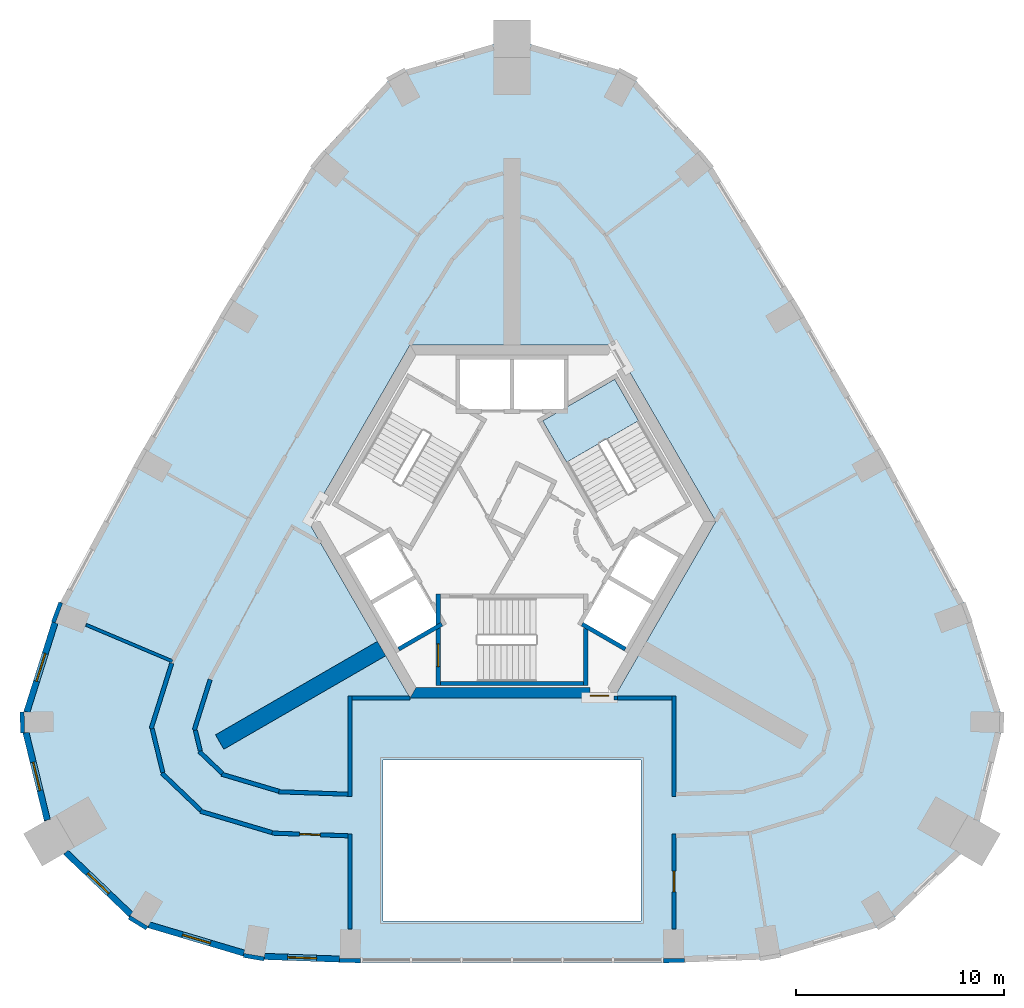
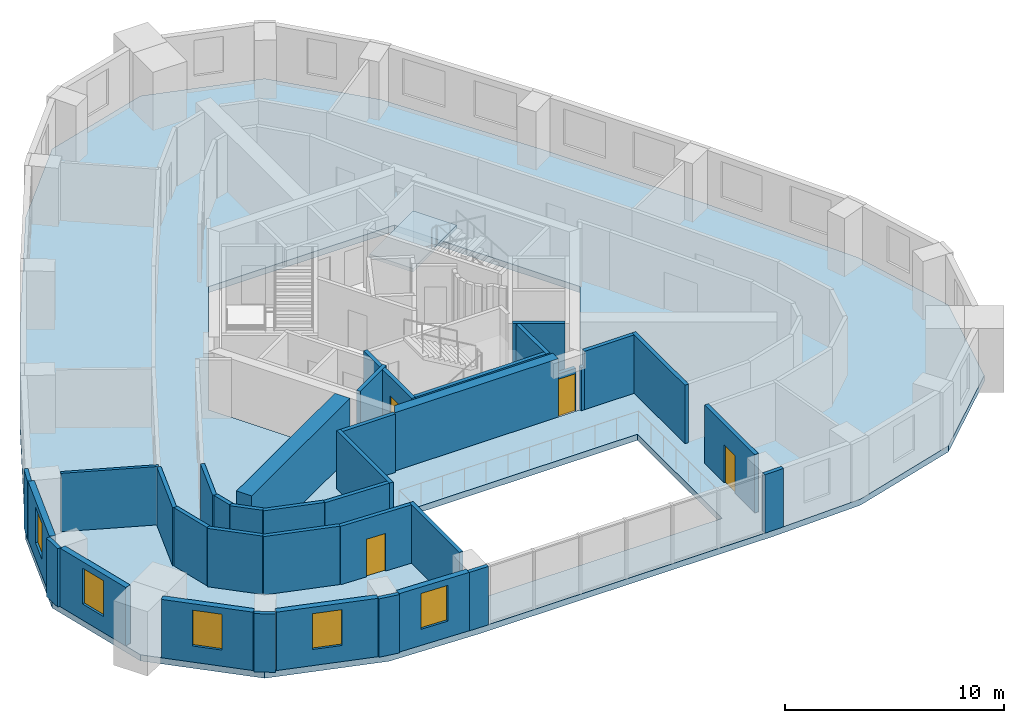
# One storey, part 3 of 8: 37 walls, 5 windows, 4 doors, 2 slabs, 9 openings, 1 element without a shape of its own.
"""IFC4 building model written with IfcOpenShell, lengths in metres."""

from ifc_helpers import new_model, si_unit, direction, frame, frame_2d, origin, place, context, subcontext, project, spatial, polyline, rectangle, outline, extrude, material, layer, layer_set, type_object, element, fill, aggregate, save


model = new_model("IFC4")

# Units and contexts
model_context = context("Model", 3, precision=1e-05, world=origin(), true_north=direction((0.0, 1.0)))
body_context = subcontext(model_context, "Body", "Model", "MODEL_VIEW")
ifc_project = project(units=[si_unit("LENGTHUNIT", "METRE"), si_unit("AREAUNIT", "SQUARE_METRE"), si_unit("VOLUMEUNIT", "CUBIC_METRE"), si_unit("PLANEANGLEUNIT", "RADIAN"), si_unit("MASSUNIT", "GRAM", prefix="KILO")], contexts=[model_context])

# Site, building, storey
site_placement = place(None, origin())
site = spatial("IfcSite", under=ifc_project, at=site_placement, CompositionType="ELEMENT")
building_placement = place(site_placement, origin())
building = spatial("IfcBuilding", under=site, at=building_placement, Name="Entoto Arch Interchange Tower", CompositionType="ELEMENT")
storey_placement = place(building_placement, frame((0.0, 0.0, 311.60009765625)))
storey = spatial("IfcBuildingStorey", under=building, at=storey_placement, Name="L73", CompositionType="ELEMENT", Elevation=311.60009765625)

# Stair, slab
ifc_material_1 = material(Name="Concrete C40/50", Category="concrete")
stair_type = type_object("IfcStairType", Name="EXIT STAIR RC 1800", PredefinedType="HALF_TURN_STAIR", material=ifc_material_1)
stair_placement = place(storey_placement, origin())
stair = element("IfcStair", 1, at=stair_placement, inside=storey, type_object=stair_type, Name="L73 Exit stair NE", PredefinedType="HALF_TURN_STAIR")
ifc_layer_1 = layer(ifc_material_1, 0.199951171875)
ifc_layer_set_1 = layer_set([ifc_layer_1], Name="Concrete C40/50")
slab_type_1 = type_object("IfcSlabType", Name="EXIT STAIR LANDING RC 200", PredefinedType="LANDING", material=ifc_layer_set_1)
slab_1_placement = place(storey_placement, frame((0.0, 0.0, 1.599853515625)))
slab_1 = element("IfcSlab", 2, at=slab_1_placement, type_object=slab_type_1, Name="ST-NE landing 1", PredefinedType="LANDING", context=body_context, shape_type="SweptSolid", body=[
    extrude(outline(polyline([(6.093505859375, 7.345947265625), (4.943359375, 9.337890625), (1.479248046875, 7.337890625), (2.62939453125, 5.345947265625), (6.093505859375, 7.345947265625)])), origin(), (0.0, 0.0, 1.0), 0.199951171875),
])
aggregate(stair, [slab_1])

# Slab
ifc_layer_2 = layer(ifc_material_1, 0.340087890625)
ifc_layer_set_2 = layer_set([ifc_layer_2], Name="Concrete C40/50")
slab_type_2 = type_object("IfcSlabType", Name="Post-tensioned flat plate 340 C40/50", PredefinedType="FLOOR", material=ifc_layer_set_2)
slab_2_placement = place(storey_placement, frame((0.0, 0.0, -0.340087890625)))
element("IfcSlab", 3, at=slab_2_placement, inside=storey, type_object=slab_type_2, Name="Floor slab L73", PredefinedType="FLOOR", context=body_context, shape_type="SweptSolid", body=[
    extrude(outline(polyline([(-12.447998046875, -18.5810546875), (-7.800048828125, -18.74609375), (7.800048828125, -18.74609375), (12.447998046875, -18.5810546875), (18.05810546875, -16.910888671875), (22.2890625, -12.868896484375), (23.675048828125, -7.181884765625), (21.99609375, -1.85205078125), (17.990966796875, 5.577880859375), (13.825927734375, 12.7919921875), (9.39404296875, 19.97509765625), (5.616943359375, 24.093994140625), (0.0, 25.737060546875), (-5.616943359375, 24.093994140625), (-9.39404296875, 19.97509765625), (-13.825927734375, 12.7919921875), (-17.990966796875, 5.577880859375), (-21.99609375, -1.85205078125), (-23.675048828125, -7.181884765625), (-22.2890625, -12.868896484375), (-18.05810546875, -16.910888671875), (-12.447998046875, -18.5810546875)]), holes=[polyline([(6.199951171875, -16.74609375), (6.199951171875, -9.0), (-6.199951171875, -9.0), (-6.199951171875, -16.74609375), (6.199951171875, -16.74609375)]), polyline([(9.81494140625, 2.5), (4.906982421875, 11.0), (-4.906982421875, 11.0), (-9.81494140625, 2.5), (-4.906982421875, -6.0), (4.906982421875, -6.0), (9.81494140625, 2.5)])]), origin(), (0.0, 0.0, 1.0), 0.340087890625),
])

# Wall
ifc_layer_3 = layer(ifc_material_1, 0.800048828125)
ifc_layer_set_3 = layer_set([ifc_layer_3], Name="Concrete C40/50")
wall_type_1 = type_object("IfcWallType", Name="Buttress wall 800 C40/50", PredefinedType="SHEAR", material=ifc_layer_set_3)
wall_1_placement = place(storey_placement, frame((-6.279052734375, -3.625, -0.340087890625), z_axis=(0.0, 0.0, 1.0), x_axis=(-0.866017533419, -0.500013631625, 0.0)))
element("IfcWall", 4, at=wall_1_placement, inside=storey, type_object=wall_type_1, Name="Buttress wall SW L73", PredefinedType="SHEAR", context=body_context, shape_type="SweptSolid", body=[
    extrude(rectangle(XDim=8.999755859375, YDim=0.800048828125, at=frame_2d((4.5, 0.0))), origin(), (0.0, 0.0, 1.0), 3.60009765625),
])

# Wall, opening, door
ifc_material_2 = material(Name="Reinforced concrete C40/50", Category="concrete")
ifc_layer_4 = layer(ifc_material_2, 0.199951171875)
ifc_layer_set_4 = layer_set([ifc_layer_4], Name="Reinforced concrete C40/50")
wall_type_2 = type_object("IfcWallType", Name="CORE GAP INFILL WALL", PredefinedType="PARTITIONING", material=ifc_layer_set_4)
wall_2_placement = place(storey_placement, frame((3.75, -5.89990234375, 0.0), z_axis=(0.0, 0.0, 1.0), x_axis=(1.0, 0.0, 0.0)))
wall_2 = element("IfcWall", 5, at=wall_2_placement, inside=storey, type_object=wall_type_2, Name="wall:L73:gap1", PredefinedType="PARTITIONING", context=body_context, shape_type="SweptSolid", body=[
    extrude(rectangle(XDim=0.926025390625, YDim=0.199951171875, at=frame_2d((0.462890625, 0.0))), origin(), (0.0, 0.0, 1.0), 2.39990234375),
])
opening_1_placement = place(wall_2_placement, frame((0.01708984375, 0.0, 0.0)))
opening_1 = element("IfcOpeningElement", 6, at=opening_1_placement, cuts=wall_2, Name="Opening L73-D91", PredefinedType="OPENING", context=body_context, shape_type="SweptSolid", body=[
    extrude(rectangle(XDim=0.89990234375, YDim=2.10009765625, at=frame_2d((0.449951171875, 1.050048828125))), frame((0.0, 0.10986328125, 0.0), z_axis=(0.0, -1.0, 0.0), x_axis=(1.0, 0.0, 0.0)), (0.0, 0.0, 1.0), 0.219970703125),
])
ifc_material_3 = material(Name="Fire-rated Steel S235 door and frame", Category="steel")
door_type_1 = type_object("IfcDoorType", Name="DOOR FD-09 900x2100", OperationType="SINGLE_SWING_LEFT", PredefinedType="DOOR", material=ifc_material_3)
door_1_placement = place(opening_1_placement, origin())
door_1 = element("IfcDoor", 7, at=door_1_placement, inside=storey, type_object=door_type_1, Name="door:L73:gap1", OperationType="SINGLE_SWING_LEFT", OverallHeight=2.10009765625, OverallWidth=0.89990234375, PredefinedType="DOOR", context=body_context, shape_type="SweptSolid", body=[
    extrude(rectangle(XDim=0.89990234375, YDim=2.10009765625, at=frame_2d((0.449951171875, 1.050048828125))), frame((0.0, 0.02490234375, 0.0), z_axis=(0.0, -1.0, 0.0), x_axis=(1.0, 0.0, 0.0)), (0.0, 0.0, 1.0), 0.050048828125),
])
fill(opening_1, door_1)

# Walls
ifc_layer_5 = layer(ifc_material_1, 0.5)
ifc_layer_set_5 = layer_set([ifc_layer_5], Name="Concrete C40/50")
wall_type_3 = type_object("IfcWallType", Name="Core wall 500 C40/50", PredefinedType="SHEAR", material=ifc_layer_set_5)
wall_3_placement = place(storey_placement, frame((0.0, 0.0, -0.340087890625)))
element("IfcWall", 8, at=wall_3_placement, inside=storey, type_object=wall_type_3, Name="Core wall S L73", PredefinedType="SHEAR", context=body_context, shape_type="SweptSolid", body=[
    extrude(outline(polyline([(3.75, -6.0), (3.75, -5.5), (-4.618896484375, -5.5), (-4.906982421875, -6.0), (3.75, -6.0)])), origin(), (0.0, 0.0, 1.0), 3.60009765625),
])
ifc_layer_6 = layer(ifc_material_1, 0.199951171875)
ifc_layer_set_6 = layer_set([ifc_layer_6], Name="Concrete C40/50")
wall_type_4 = type_object("IfcWallType", Name="LIFT SHAFT WALL 200", PredefinedType="STANDARD", material=ifc_layer_set_6)
for number, where, z_axis, x_axis, name in (
    (9, (-3.376953125, -2.451904296875, 0.0), (0.0, 0.0, 1.0), (-0.865955154139, -0.50012165622, 0.0), "Shaft wall SW1 cross 3"),
    (10, (3.376953125, -2.451904296875, 0.0), (0.0, 0.0, 1.0), (0.865955154139, -0.50012165622, 0.0), "Shaft wall SE1 cross 1"),
):
    element("IfcWall", number, at=place(storey_placement, frame(where, z_axis=z_axis, x_axis=x_axis)), inside=storey, type_object=wall_type_4, Name=name, PredefinedType="STANDARD", context=body_context, shape_type="SweptSolid", body=[
        extrude(rectangle(XDim=2.39990234375, YDim=0.199951171875, at=frame_2d((1.199951171875, 0.0))), origin(), (0.0, 0.0, 1.0), 3.260009765625),
    ])
ifc_material_4 = material(Name="Gypsum board partition on steel studs", Category="steel")
ifc_layer_7 = layer(ifc_material_4, 0.14990234375)
ifc_layer_set_7 = layer_set([ifc_layer_7], Name="Gypsum board partition on steel studs")
wall_type_5 = type_object("IfcWallType", Name="PARTITION 150", PredefinedType="PARTITIONING", material=ifc_layer_set_7)
wall_4_placement = place(storey_placement, frame((-16.35205078125, -4.237060546875, 0.0), z_axis=(0.0, 0.0, 1.0), x_axis=(-0.921092849348, 0.389342988738, 0.0)))
element("IfcWall", 11, at=wall_4_placement, inside=storey, type_object=wall_type_5, Name="wall:L73:p074", PredefinedType="PARTITIONING", context=body_context, shape_type="SweptSolid", body=[
    extrude(rectangle(XDim=4.50537109375, YDim=0.14990234375, at=frame_2d((2.252685546875, 0.0))), origin(), (0.0, 0.0, 1.0), 3.260009765625),
])
ifc_layer_8 = layer(ifc_material_4, 0.199951171875)
ifc_layer_set_8 = layer_set([ifc_layer_8], Name="Gypsum board partition on steel studs")
wall_type_6 = type_object("IfcWallType", Name="PARTITION 200", PredefinedType="PARTITIONING", material=ifc_layer_set_8)
wall_5_placement = place(storey_placement, frame((-14.531005859375, -5.114013671875, 0.0), z_axis=(0.0, 0.0, 1.0), x_axis=(-0.300501248013, -0.953781421471, 0.0)))
element("IfcWall", 12, at=wall_5_placement, inside=storey, type_object=wall_type_6, Name="wall:L73:p025", PredefinedType="PARTITIONING", context=body_context, shape_type="SweptSolid", body=[
    extrude(rectangle(XDim=2.55908203125, YDim=0.199951171875, at=frame_2d((1.279541015625, 0.0))), origin(), (0.0, 0.0, 1.0), 3.260009765625),
])
wall_6_placement = place(storey_placement, frame((-15.2470703125, -7.556884765625, 0.0), z_axis=(0.0, 0.0, 1.0), x_axis=(0.237373129266, -0.971418549083, 0.0)))
element("IfcWall", 13, at=wall_6_placement, inside=storey, type_object=wall_type_6, Name="wall:L73:p026", PredefinedType="PARTITIONING", context=body_context, shape_type="SweptSolid", body=[
    extrude(rectangle(XDim=1.0244140625, YDim=0.199951171875, at=frame_2d((0.51220703125, 0.0))), origin(), (0.0, 0.0, 1.0), 3.260009765625),
])
wall_7_placement = place(storey_placement, frame((-15.052978515625, -8.580078125, 0.0), z_axis=(0.0, 0.0, 1.0), x_axis=(0.723283043556, -0.690551691696, 0.0)))
element("IfcWall", 14, at=wall_7_placement, inside=storey, type_object=wall_type_6, Name="wall:L73:p027", PredefinedType="PARTITIONING", context=body_context, shape_type="SweptSolid", body=[
    extrude(rectangle(XDim=1.529052734375, YDim=0.199951171875, at=frame_2d((0.7646484375, 0.0))), origin(), (0.0, 0.0, 1.0), 3.260009765625),
])
wall_8_placement = place(storey_placement, frame((-13.970947265625, -9.676025390625, 0.0), z_axis=(0.0, 0.0, 1.0), x_axis=(0.958417413979, -0.285370041492, 0.0)))
element("IfcWall", 15, at=wall_8_placement, inside=storey, type_object=wall_type_6, Name="wall:L73:p028", PredefinedType="PARTITIONING", context=body_context, shape_type="SweptSolid", body=[
    extrude(rectangle(XDim=2.865966796875, YDim=0.199951171875, at=frame_2d((1.43310546875, 0.0))), origin(), (0.0, 0.0, 1.0), 3.260009765625),
])
wall_9_placement = place(storey_placement, frame((-11.22802734375, -10.51904296875, 0.0), z_axis=(0.0, 0.0, 1.0), x_axis=(0.999372900517, -0.035409119054, 0.0)))
element("IfcWall", 16, at=wall_9_placement, inside=storey, type_object=wall_type_6, Name="wall:L73:p029", PredefinedType="PARTITIONING", context=body_context, shape_type="SweptSolid", body=[
    extrude(rectangle(XDim=3.330322265625, YDim=0.199951171875, at=frame_2d((1.6650390625, 0.0))), origin(), (0.0, 0.0, 1.0), 3.260009765625),
])

# Wall, opening, door
wall_10_placement = place(storey_placement, frame((-7.89990234375, -12.638916015625, 0.0), z_axis=(0.0, 0.0, 1.0), x_axis=(-0.999368879246, 0.035522432268, 0.0)))
wall_10 = element("IfcWall", 17, at=wall_10_placement, inside=storey, type_object=wall_type_6, Name="wall:L73:p045", PredefinedType="PARTITIONING", context=body_context, shape_type="SweptSolid", body=[
    extrude(rectangle(XDim=3.65625, YDim=0.199951171875, at=frame_2d((1.828125, 0.0))), origin(), (0.0, 0.0, 1.0), 3.260009765625),
])
opening_2_placement = place(wall_10_placement, frame((1.327880859375, 0.0, 0.0)))
opening_2 = element("IfcOpeningElement", 18, at=opening_2_placement, cuts=wall_10, Name="Opening L73-D07", PredefinedType="OPENING", context=body_context, shape_type="SweptSolid", body=[
    extrude(rectangle(XDim=1.0, YDim=2.10009765625, at=frame_2d((0.5, 1.050048828125))), frame((0.0, 0.10986328125, 0.0), z_axis=(0.0, -1.0, 0.0), x_axis=(1.0, 0.0, 0.0)), (0.0, 0.0, 1.0), 0.219970703125),
])
ifc_material_5 = material(Name="Timber door leaf in Steel S235 frame", Category="steel")
door_type_2 = type_object("IfcDoorType", Name="DOOR DS-10 1000x2100", OperationType="SINGLE_SWING_LEFT", PredefinedType="DOOR", material=ifc_material_5)
door_2_placement = place(opening_2_placement, origin())
door_2 = element("IfcDoor", 19, at=door_2_placement, inside=storey, type_object=door_type_2, Name="door:L73:07", OperationType="SINGLE_SWING_LEFT", OverallHeight=2.10009765625, OverallWidth=1.0, PredefinedType="DOOR", context=body_context, shape_type="SweptSolid", body=[
    extrude(rectangle(XDim=1.0, YDim=2.10009765625, at=frame_2d((0.5, 1.050048828125))), frame((0.0, 0.02490234375, 0.0), z_axis=(0.0, -1.0, 0.0), x_axis=(1.0, 0.0, 0.0)), (0.0, 0.0, 1.0), 0.050048828125),
])
fill(opening_2, door_2)

# Walls
wall_11_placement = place(storey_placement, frame((-11.550048828125, -12.48388671875, 0.0), z_axis=(0.0, 0.0, 1.0), x_axis=(-0.958459796003, 0.285227662485, 0.0)))
element("IfcWall", 20, at=wall_11_placement, inside=storey, type_object=wall_type_6, Name="wall:L73:p046", PredefinedType="PARTITIONING", context=body_context, shape_type="SweptSolid", body=[
    extrude(rectangle(XDim=3.603515625, YDim=0.199951171875, at=frame_2d((1.8017578125, 0.0))), origin(), (0.0, 0.0, 1.0), 3.260009765625),
])
wall_12_placement = place(storey_placement, frame((-14.97998046875, -11.4150390625, 0.0), z_axis=(0.0, 0.0, 1.0), x_axis=(-0.723099256445, 0.690744138831, 0.0)))
element("IfcWall", 21, at=wall_12_placement, inside=storey, type_object=wall_type_6, Name="wall:L73:p047", PredefinedType="PARTITIONING", context=body_context, shape_type="SweptSolid", body=[
    extrude(rectangle(XDim=2.595703125, YDim=0.199951171875, at=frame_2d((1.2978515625, 0.0))), origin(), (0.0, 0.0, 1.0), 3.260009765625),
])
wall_13_placement = place(storey_placement, frame((-16.80908203125, -9.593994140625, 0.0), z_axis=(0.0, 0.0, 1.0), x_axis=(-0.23664760587, 0.971595548897, 0.0)))
element("IfcWall", 22, at=wall_13_placement, inside=storey, type_object=wall_type_6, Name="wall:L73:p048", PredefinedType="PARTITIONING", context=body_context, shape_type="SweptSolid", body=[
    extrude(rectangle(XDim=2.16748046875, YDim=0.199951171875, at=frame_2d((1.083740234375, 0.0))), origin(), (0.0, 0.0, 1.0), 3.260009765625),
])
wall_14_placement = place(storey_placement, frame((-17.375, -7.487060546875, 0.0), z_axis=(0.0, 0.0, 1.0), x_axis=(0.300195088058, 0.953877827138, 0.0)))
element("IfcWall", 23, at=wall_14_placement, inside=storey, type_object=wall_type_6, Name="wall:L73:p049", PredefinedType="PARTITIONING", context=body_context, shape_type="SweptSolid", body=[
    extrude(rectangle(XDim=3.3076171875, YDim=0.199951171875, at=frame_2d((1.65380859375, 0.0))), origin(), (0.0, 0.0, 1.0), 3.260009765625),
])
wall_15_placement = place(storey_placement, frame((4.907958984375, -5.9990234375, 0.0), z_axis=(0.0, 0.0, 1.0), x_axis=(1.0, 0.0, 0.0)))
element("IfcWall", 24, at=wall_15_placement, inside=storey, type_object=wall_type_6, Name="wall:L73:p062", PredefinedType="PARTITIONING", context=body_context, shape_type="SweptSolid", body=[
    extrude(rectangle(XDim=0.16796875, YDim=0.199951171875, at=frame_2d((0.083984375, 0.0))), origin(), (0.0, 0.0, 1.0), 2.39990234375),
])
for number, where, z_axis, x_axis, name in (
    (25, (7.800048828125, -5.89892578125, 0.0), (0.0, 0.0, 1.0), (0.0, -1.0, 0.0), "wall:L73:p063"),
    (26, (-7.800048828125, -10.740966796875, 0.0), (0.0, 0.0, 1.0), (0.0, 1.0, 0.0), "wall:L73:p064"),
):
    element("IfcWall", number, at=place(storey_placement, frame(where, z_axis=z_axis, x_axis=x_axis)), inside=storey, type_object=wall_type_6, Name=name, PredefinedType="PARTITIONING", context=body_context, shape_type="SweptSolid", body=[
        extrude(rectangle(XDim=4.842041015625, YDim=0.199951171875, at=frame_2d((2.4208984375, 0.0))), origin(), (0.0, 0.0, 1.0), 3.260009765625),
    ])
wall_16_placement = place(storey_placement, frame((-7.699951171875, -5.9990234375, 0.0), z_axis=(0.0, 0.0, 1.0), x_axis=(1.0, 0.0, 0.0)))
element("IfcWall", 27, at=wall_16_placement, inside=storey, type_object=wall_type_6, Name="wall:L73:p065", PredefinedType="PARTITIONING", context=body_context, shape_type="SweptSolid", body=[
    extrude(rectangle(XDim=2.7919921875, YDim=0.199951171875, at=frame_2d((1.39599609375, 0.0))), origin(), (0.0, 0.0, 1.0), 3.260009765625),
])

# Wall, opening, door
wall_17_placement = place(storey_placement, frame((7.800048828125, -12.5419921875, 0.0), z_axis=(0.0, 0.0, 1.0), x_axis=(0.0, -1.0, 0.0)))
wall_17 = element("IfcWall", 28, at=wall_17_placement, inside=storey, type_object=wall_type_6, Name="wall:L73:p066", PredefinedType="PARTITIONING", context=body_context, shape_type="SweptSolid", body=[
    extrude(rectangle(XDim=4.583984375, YDim=0.199951171875, at=frame_2d((2.2919921875, 0.0))), origin(), (0.0, 0.0, 1.0), 3.260009765625),
])
opening_3_placement = place(wall_17_placement, frame((1.7919921875, 0.0, 0.0)))
opening_3 = element("IfcOpeningElement", 29, at=opening_3_placement, cuts=wall_17, Name="Opening L73-D01", PredefinedType="OPENING", context=body_context, shape_type="SweptSolid", body=[
    extrude(rectangle(XDim=1.0, YDim=2.10009765625, at=frame_2d((0.5, 1.050048828125))), frame((0.0, 0.10986328125, 0.0), z_axis=(0.0, -1.0, 0.0), x_axis=(1.0, 0.0, 0.0)), (0.0, 0.0, 1.0), 0.219970703125),
])
door_3_placement = place(opening_3_placement, origin())
door_3 = element("IfcDoor", 30, at=door_3_placement, inside=storey, type_object=door_type_2, Name="door:L73:01", OperationType="SINGLE_SWING_LEFT", OverallHeight=2.10009765625, OverallWidth=1.0, PredefinedType="DOOR", context=body_context, shape_type="SweptSolid", body=[
    extrude(rectangle(XDim=1.0, YDim=2.10009765625, at=frame_2d((0.5, 1.050048828125))), frame((0.0, 0.02490234375, 0.0), z_axis=(0.0, -1.0, 0.0), x_axis=(1.0, 0.0, 0.0)), (0.0, 0.0, 1.0), 0.050048828125),
])
fill(opening_3, door_3)

# Walls
wall_18_placement = place(storey_placement, frame((-7.800048828125, -17.1259765625, 0.0), z_axis=(0.0, 0.0, 1.0), x_axis=(0.0, 1.0, 0.0)))
element("IfcWall", 31, at=wall_18_placement, inside=storey, type_object=wall_type_6, Name="wall:L73:p067", PredefinedType="PARTITIONING", context=body_context, shape_type="SweptSolid", body=[
    extrude(rectangle(XDim=4.583984375, YDim=0.199951171875, at=frame_2d((2.2919921875, 0.0))), origin(), (0.0, 0.0, 1.0), 3.260009765625),
])
wall_19_placement = place(storey_placement, frame((5.075927734375, -5.9990234375, 0.0), z_axis=(0.0, 0.0, 1.0), x_axis=(1.0, 0.0, 0.0)))
element("IfcWall", 32, at=wall_19_placement, inside=storey, type_object=wall_type_6, Name="wall:L73:p062", PredefinedType="PARTITIONING", context=body_context, shape_type="SweptSolid", body=[
    extrude(rectangle(XDim=2.6240234375, YDim=0.199951171875, at=frame_2d((1.31201171875, 0.0))), origin(), (0.0, 0.0, 1.0), 3.260009765625),
])

# Wall, opening, door
ifc_layer_9 = layer(ifc_material_1, 0.199951171875)
ifc_layer_set_9 = layer_set([ifc_layer_9], Name="Concrete C40/50")
wall_type_7 = type_object("IfcWallType", Name="STAIR ENCLOSURE WALL 200", PredefinedType="STANDARD", material=ifc_layer_set_9)
wall_20_placement = place(storey_placement, frame((-3.550048828125, -1.0, 0.0), z_axis=(0.0, 0.0, 1.0), x_axis=(0.0, -1.0, 0.0)))
wall_20 = element("IfcWall", 33, at=wall_20_placement, inside=storey, type_object=wall_type_7, Name="Stair wall ST-S near", PredefinedType="STANDARD", context=body_context, shape_type="SweptSolid", body=[
    extrude(rectangle(XDim=4.39990234375, YDim=0.199951171875, at=frame_2d((2.199951171875, 0.0))), origin(), (0.0, 0.0, 1.0), 3.260009765625),
])
opening_4_placement = place(wall_20_placement, frame((2.39990234375, 0.0, 0.0)))
opening_4 = element("IfcOpeningElement", 34, at=opening_4_placement, cuts=wall_20, Name="Opening SD-ST-S-L73-E", PredefinedType="OPENING", context=body_context, shape_type="SweptSolid", body=[
    extrude(rectangle(XDim=1.10009765625, YDim=2.199951171875, at=frame_2d((0.550048828125, 1.10009765625))), frame((0.0, 0.10986328125, 0.0), z_axis=(0.0, -1.0, 0.0), x_axis=(1.0, 0.0, 0.0)), (0.0, 0.0, 1.0), 0.219970703125),
])
ifc_material_6 = material(Name="Steel S235", Category="steel")
door_type_3 = type_object("IfcDoorType", Name="STAIR DOOR SD1 1100x2200", OperationType="SINGLE_SWING_LEFT", PredefinedType="DOOR", material=ifc_material_6)
door_4_placement = place(opening_4_placement, origin())
door_4 = element("IfcDoor", 35, at=door_4_placement, inside=storey, type_object=door_type_3, Name="Stair door ST-S L73 end", OperationType="SINGLE_SWING_LEFT", OverallHeight=2.199951171875, OverallWidth=1.10009765625, PredefinedType="DOOR", context=body_context, shape_type="SweptSolid", body=[
    extrude(rectangle(XDim=1.10009765625, YDim=2.199951171875, at=frame_2d((0.550048828125, 1.10009765625))), frame((0.0, 0.02490234375, 0.0), z_axis=(0.0, -1.0, 0.0), x_axis=(1.0, 0.0, 0.0)), (0.0, 0.0, 1.0), 0.050048828125),
])
fill(opening_4, door_4)

# Walls
wall_21_placement = place(storey_placement, frame((3.550048828125, -2.6669921875, 0.0), z_axis=(0.0, 0.0, 1.0), x_axis=(0.0, -1.0, 0.0)))
element("IfcWall", 36, at=wall_21_placement, inside=storey, type_object=wall_type_7, Name="Stair wall ST-S far", PredefinedType="STANDARD", context=body_context, shape_type="SweptSolid", body=[
    extrude(rectangle(XDim=2.73291015625, YDim=0.199951171875, at=frame_2d((1.366455078125, 0.0))), origin(), (0.0, 0.0, 1.0), 3.260009765625),
])
wall_22_placement = place(storey_placement, frame((-3.449951171875, -5.300048828125, 0.0), z_axis=(0.0, 0.0, 1.0), x_axis=(1.0, 0.0, 0.0)))
element("IfcWall", 37, at=wall_22_placement, inside=storey, type_object=wall_type_7, Name="Stair wall ST-S back", PredefinedType="STANDARD", context=body_context, shape_type="SweptSolid", body=[
    extrude(rectangle(XDim=6.89990234375, YDim=0.199951171875, at=frame_2d((3.449951171875, 0.0))), origin(), (0.0, 0.0, 1.0), 3.260009765625),
])

# Wall, opening, window
ifc_material_7 = material(Name="Welded tuff (ignimbrite) cladding, warm buff", Category="masonry")
ifc_layer_10 = layer(ifc_material_7, 0.300048828125)
ifc_layer_set_10 = layer_set([ifc_layer_10], Name="Welded tuff (ignimbrite) cladding, warm buff")
wall_type_8 = type_object("IfcWallType", Name="STONE INFILL WALL 300", PredefinedType="STANDARD", material=ifc_layer_set_10)
wall_23_placement = place(storey_placement, frame((-11.9189453125, -18.449951171875, 0.0), z_axis=(0.0, 0.0, 1.0), x_axis=(0.999377185233, -0.035287981473, 0.0)))
wall_23 = element("IfcWall", 38, at=wall_23_placement, inside=storey, type_object=wall_type_8, Name="Facade wall S-01 L73", PredefinedType="STANDARD", context=body_context, shape_type="SweptSolid", body=[
    extrude(rectangle(XDim=3.625244140625, YDim=0.300048828125, at=frame_2d((1.8125, 0.0))), origin(), (0.0, 0.0, 1.0), 3.260009765625),
])
opening_5_placement = place(wall_23_placement, frame((1.113037109375, 0.0, 0.89990234375)))
opening_5 = element("IfcOpeningElement", 39, at=opening_5_placement, cuts=wall_23, Name="Opening WH-B", PredefinedType="OPENING", context=body_context, shape_type="SweptSolid", body=[
    extrude(rectangle(XDim=1.39990234375, YDim=2.0, at=frame_2d((0.699951171875, 1.0))), frame((0.0, 0.16015625, 0.0), z_axis=(0.0, -1.0, 0.0), x_axis=(1.0, 0.0, 0.0)), (0.0, 0.0, 1.0), 0.320068359375),
])
ifc_material_8 = material(Name="Clear glass, low-e double glazed", Category="glass")
window_type = type_object("IfcWindowType", Name="WINDOW WH-B 1400x2000", PartitioningType="DOUBLE_PANEL_VERTICAL", PredefinedType="WINDOW", material=ifc_material_8)
window_1_placement = place(opening_5_placement, origin())
window_1 = element("IfcWindow", 40, at=window_1_placement, inside=storey, type_object=window_type, Name="Window WH-B S-01 L73", OverallHeight=2.0, OverallWidth=1.39990234375, PartitioningType="SINGLE_PANEL", PredefinedType="WINDOW", context=body_context, shape_type="SweptSolid", body=[
    extrude(rectangle(XDim=1.39990234375, YDim=2.0, at=frame_2d((0.699951171875, 1.0))), frame((0.0, 0.030029296875, 0.0), z_axis=(0.0, -1.0, 0.0), x_axis=(1.0, 0.0, 0.0)), (0.0, 0.0, 1.0), 0.06005859375),
])
fill(opening_5, window_1)

wall_24_placement = place(storey_placement, frame((-22.0048828125, -2.381103515625, 0.0), z_axis=(0.0, 0.0, 1.0), x_axis=(-0.300534385574, -0.953770980418, 0.0)))
wall_24 = element("IfcWall", 41, at=wall_24_placement, inside=storey, type_object=wall_type_8, Name="Facade wall SW-01 L73", PredefinedType="STANDARD", context=body_context, shape_type="SweptSolid", body=[
    extrude(rectangle(XDim=4.501953125, YDim=0.300048828125, at=frame_2d((2.2509765625, 0.0))), origin(), (0.0, 0.0, 1.0), 3.260009765625),
])
opening_6_placement = place(wall_24_placement, frame((1.551025390625, 0.0, 0.89990234375)))
opening_6 = element("IfcOpeningElement", 42, at=opening_6_placement, cuts=wall_24, Name="Opening WH-B", PredefinedType="OPENING", context=body_context, shape_type="SweptSolid", body=[
    extrude(rectangle(XDim=1.39990234375, YDim=2.0, at=frame_2d((0.699951171875, 1.0))), frame((0.0, 0.16015625, 0.0), z_axis=(0.0, -1.0, 0.0), x_axis=(1.0, 0.0, 0.0)), (0.0, 0.0, 1.0), 0.320068359375),
])
window_2_placement = place(opening_6_placement, origin())
window_2 = element("IfcWindow", 43, at=window_2_placement, inside=storey, type_object=window_type, Name="Window WH-B SW-01 L73", OverallHeight=2.0, OverallWidth=1.39990234375, PartitioningType="SINGLE_PANEL", PredefinedType="WINDOW", context=body_context, shape_type="SweptSolid", body=[
    extrude(rectangle(XDim=1.39990234375, YDim=2.0, at=frame_2d((0.699951171875, 1.0))), frame((0.0, 0.030029296875, 0.0), z_axis=(0.0, -1.0, 0.0), x_axis=(1.0, 0.0, 0.0)), (0.0, 0.0, 1.0), 0.06005859375),
])
fill(opening_6, window_2)

wall_25_placement = place(storey_placement, frame((-23.40087890625, -7.675048828125, 0.0), z_axis=(0.0, 0.0, 1.0), x_axis=(0.236958776561, -0.971519705519, 0.0)))
wall_25 = element("IfcWall", 44, at=wall_25_placement, inside=storey, type_object=wall_type_8, Name="Facade wall SW-02 L73", PredefinedType="STANDARD", context=body_context, shape_type="SweptSolid", body=[
    extrude(rectangle(XDim=4.329345703125, YDim=0.300048828125, at=frame_2d((2.16455078125, 0.0))), origin(), (0.0, 0.0, 1.0), 3.260009765625),
])
opening_7_placement = place(wall_25_placement, frame((1.465087890625, 0.0, 0.89990234375)))
opening_7 = element("IfcOpeningElement", 45, at=opening_7_placement, cuts=wall_25, Name="Opening WH-B", PredefinedType="OPENING", context=body_context, shape_type="SweptSolid", body=[
    extrude(rectangle(XDim=1.39990234375, YDim=2.0, at=frame_2d((0.699951171875, 1.0))), frame((0.0, 0.16015625, 0.0), z_axis=(0.0, -1.0, 0.0), x_axis=(1.0, 0.0, 0.0)), (0.0, 0.0, 1.0), 0.320068359375),
])
window_3_placement = place(opening_7_placement, origin())
window_3 = element("IfcWindow", 46, at=window_3_placement, inside=storey, type_object=window_type, Name="Window WH-B SW-02 L73", OverallHeight=2.0, OverallWidth=1.39990234375, PartitioningType="SINGLE_PANEL", PredefinedType="WINDOW", context=body_context, shape_type="SweptSolid", body=[
    extrude(rectangle(XDim=1.39990234375, YDim=2.0, at=frame_2d((0.699951171875, 1.0))), frame((0.0, 0.030029296875, 0.0), z_axis=(0.0, -1.0, 0.0), x_axis=(1.0, 0.0, 0.0)), (0.0, 0.0, 1.0), 0.06005859375),
])
fill(opening_7, window_3)

wall_26_placement = place(storey_placement, frame((-21.47607421875, -13.43798828125, 0.0), z_axis=(0.0, 0.0, 1.0), x_axis=(0.723113419412, -0.690729312152, 0.0)))
wall_26 = element("IfcWall", 47, at=wall_26_placement, inside=storey, type_object=wall_type_8, Name="Facade wall SW-03 L73", PredefinedType="STANDARD", context=body_context, shape_type="SweptSolid", body=[
    extrude(rectangle(XDim=4.327392578125, YDim=0.300048828125, at=frame_2d((2.16357421875, 0.0))), origin(), (0.0, 0.0, 1.0), 3.260009765625),
])
opening_8_placement = place(wall_26_placement, frame((1.464111328125, 0.0, 0.89990234375)))
opening_8 = element("IfcOpeningElement", 48, at=opening_8_placement, cuts=wall_26, Name="Opening WH-B", PredefinedType="OPENING", context=body_context, shape_type="SweptSolid", body=[
    extrude(rectangle(XDim=1.39990234375, YDim=2.0, at=frame_2d((0.699951171875, 1.0))), frame((0.0, 0.16015625, 0.0), z_axis=(0.0, -1.0, 0.0), x_axis=(1.0, 0.0, 0.0)), (0.0, 0.0, 1.0), 0.320068359375),
])
window_4_placement = place(opening_8_placement, origin())
window_4 = element("IfcWindow", 49, at=window_4_placement, inside=storey, type_object=window_type, Name="Window WH-B SW-03 L73", OverallHeight=2.0, OverallWidth=1.39990234375, PartitioningType="SINGLE_PANEL", PredefinedType="WINDOW", context=body_context, shape_type="SweptSolid", body=[
    extrude(rectangle(XDim=1.39990234375, YDim=2.0, at=frame_2d((0.699951171875, 1.0))), frame((0.0, 0.030029296875, 0.0), z_axis=(0.0, -1.0, 0.0), x_axis=(1.0, 0.0, 0.0)), (0.0, 0.0, 1.0), 0.06005859375),
])
fill(opening_8, window_4)

wall_27_placement = place(storey_placement, frame((-17.48193359375, -16.926025390625, 0.0), z_axis=(0.0, 0.0, 1.0), x_axis=(0.95841929886, -0.285363711031, 0.0)))
wall_27 = element("IfcWall", 50, at=wall_27_placement, inside=storey, type_object=wall_type_8, Name="Facade wall SW-04 L73", PredefinedType="STANDARD", context=body_context, shape_type="SweptSolid", body=[
    extrude(rectangle(XDim=4.776611328125, YDim=0.300048828125, at=frame_2d((2.38818359375, 0.0))), origin(), (0.0, 0.0, 1.0), 3.260009765625),
])
opening_9_placement = place(wall_27_placement, frame((1.68798828125, 0.0, 0.89990234375)))
opening_9 = element("IfcOpeningElement", 51, at=opening_9_placement, cuts=wall_27, Name="Opening WH-B", PredefinedType="OPENING", context=body_context, shape_type="SweptSolid", body=[
    extrude(rectangle(XDim=1.39990234375, YDim=2.0, at=frame_2d((0.699951171875, 1.0))), frame((0.0, 0.16015625, 0.0), z_axis=(0.0, -1.0, 0.0), x_axis=(1.0, 0.0, 0.0)), (0.0, 0.0, 1.0), 0.320068359375),
])
window_5_placement = place(opening_9_placement, origin())
window_5 = element("IfcWindow", 52, at=window_5_placement, inside=storey, type_object=window_type, Name="Window WH-B SW-04 L73", OverallHeight=2.0, OverallWidth=1.39990234375, PartitioningType="SINGLE_PANEL", PredefinedType="WINDOW", context=body_context, shape_type="SweptSolid", body=[
    extrude(rectangle(XDim=1.39990234375, YDim=2.0, at=frame_2d((0.699951171875, 1.0))), frame((0.0, 0.030029296875, 0.0), z_axis=(0.0, -1.0, 0.0), x_axis=(1.0, 0.0, 0.0)), (0.0, 0.0, 1.0), 0.06005859375),
])
fill(opening_9, window_5)

# Walls
ifc_layer_11 = layer(ifc_material_7, 0.199951171875)
ifc_layer_set_11 = layer_set([ifc_layer_11], Name="Welded tuff (ignimbrite) cladding, warm buff")
wall_type_9 = type_object("IfcWallType", Name="STONE PIER CLADDING 200", PredefinedType="STANDARD", material=ifc_layer_set_11)
wall_28_placement = place(storey_placement, frame((-21.72705078125, -1.4189453125, 0.0), z_axis=(0.0, 0.0, 1.0), x_axis=(-0.350962844851, -0.936389385637, 0.0)))
element("IfcWall", 53, at=wall_28_placement, inside=storey, type_object=wall_type_9, Name="Stone pier NW04 L73", PredefinedType="STANDARD", context=body_context, shape_type="SweptSolid", body=[
    extrude(rectangle(XDim=0.99951171875, YDim=0.199951171875, at=frame_2d((0.499755859375, 0.0))), origin(), (0.0, 0.0, 1.0), 3.260009765625),
])
for number, where, z_axis, x_axis, name in (
    (54, (-12.924072265625, -18.39794921875, 0.0), (0.0, 0.0, 1.0), (0.985800545746, -0.167920469293, 0.0), "Stone pier S01 L73"),
    (55, (-8.298095703125, -18.635986328125, 0.0), (0.0, 0.0, 1.0), (0.999799669399, -0.020015520725, 0.0), "Stone pier S02 L73"),
    (56, (7.298095703125, -18.656005859375, 0.0), (0.0, 0.0, 1.0), (0.999799669399, 0.020015520725, 0.0), "Stone pier S03 L73"),
):
    element("IfcWall", number, at=place(storey_placement, frame(where, z_axis=z_axis, x_axis=x_axis)), inside=storey, type_object=wall_type_9, Name=name, PredefinedType="STANDARD", context=body_context, shape_type="SweptSolid", body=[
        extrude(rectangle(XDim=1.000244140625, YDim=0.199951171875, at=frame_2d((0.5, 0.0))), origin(), (0.0, 0.0, 1.0), 3.260009765625),
    ])
wall_29_placement = place(storey_placement, frame((-23.5869140625, -6.679931640625, 0.0), z_axis=(0.0, 0.0, 1.0), x_axis=(0.023942303888, -0.999713341956, 0.0)))
element("IfcWall", 57, at=wall_29_placement, inside=storey, type_object=wall_type_9, Name="Stone pier SW1 L73", PredefinedType="STANDARD", context=body_context, shape_type="SweptSolid", body=[
    extrude(rectangle(XDim=0.999267578125, YDim=0.199951171875, at=frame_2d((0.49951171875, 0.0))), origin(), (0.0, 0.0, 1.0), 3.260009765625),
])
wall_30_placement = place(storey_placement, frame((-18.43310546875, -16.56494140625, 0.0), z_axis=(0.0, 0.0, 1.0), x_axis=(0.853679739553, -0.520798331677, 0.0)))
element("IfcWall", 58, at=wall_30_placement, inside=storey, type_object=wall_type_9, Name="Stone pier SW3 L73", PredefinedType="STANDARD", context=body_context, shape_type="SweptSolid", body=[
    extrude(rectangle(XDim=1.00048828125, YDim=0.199951171875, at=frame_2d((0.500244140625, 0.0))), origin(), (0.0, 0.0, 1.0), 3.260009765625),
])

save(model, "model.ifc")
